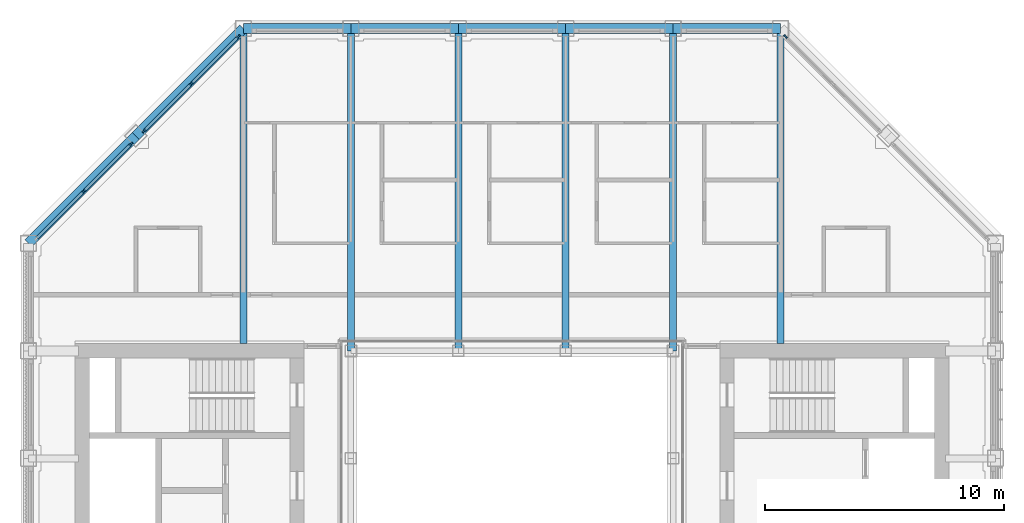
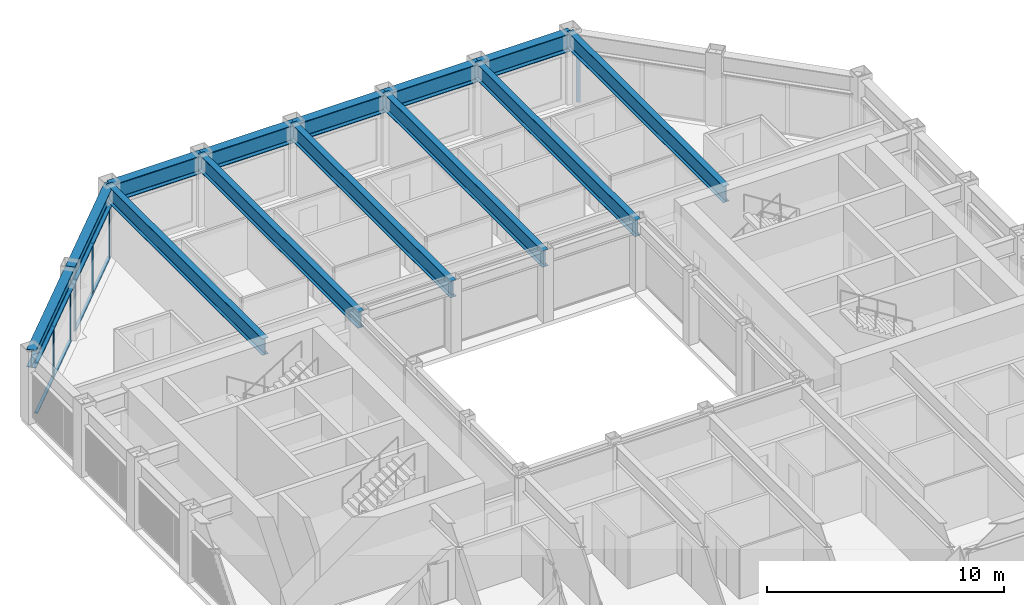
# One storey, part 6 of 18: 14 members, 13 beams, 3 elements without a shape of their own.
"""IFC4 building model written with IfcOpenShell, lengths in metres."""

import ifcopenshell
import ifcopenshell.guid

model = None  # the IFC model being written
_history = None  # IfcOwnerHistory: only IFC2X3 demands one
_inside = {}  # id of a spatial element -> (the spatial element, [elements in it])
_under = {}  # id of a project, library or spatial element -> (it, [spatial elements below it])
_declared = {}  # id of a project -> (the project, [libraries it declares])
_typed = {}  # id of a type object -> (the type object, [elements of that type])
_made_of = {}  # id of a material, layer set ... -> (it, [elements and type objects made of it])


def new_model(schema):
    """Start an empty IFC model of exactly this schema.

    Asked for "IFC4X3", IfcOpenShell would pick the latest addendum, in which some entities
    have other attributes; the version numbers below select the first issue.
    IFC2X3 requires an IfcOwnerHistory on every rooted entity: one is made here for all.
    """
    global model, _history
    if schema == "IFC4X3":
        model = ifcopenshell.file(schema_version=(4, 3, 0, 0))
    else:
        model = ifcopenshell.file(schema=schema)
    _inside.clear()
    _under.clear()
    _declared.clear()
    _typed.clear()
    _made_of.clear()
    _history = None
    if model.schema == "IFC2X3":
        org = make("IfcOrganization", Name="unknown")
        user = make(
            "IfcPersonAndOrganization",
            ThePerson=make("IfcPerson", FamilyName="unknown"),
            TheOrganization=org,
        )
        app = make(
            "IfcApplication",
            ApplicationDeveloper=org,
            Version="unknown",
            ApplicationFullName="unknown",
            ApplicationIdentifier="unknown",
        )
        _history = make(
            "IfcOwnerHistory",
            OwningUser=user,
            OwningApplication=app,
            ChangeAction="ADDED",
            CreationDate=0,
        )
    return model


def make(cls, **values):
    """One entity of the class cls with the attributes given. An attribute that is None is left unset."""
    return model.create_entity(
        cls, **{name: value for name, value in values.items() if value is not None}
    )


def rooted(cls, **values):
    """An entity with a GlobalId (a new one), such as an element, a storey or a relation."""
    return make(cls, GlobalId=ifcopenshell.guid.new(), OwnerHistory=_history, **values)


def si_unit(unit_type, name, prefix=None):
    """IfcSIUnit, for example si_unit("LENGTHUNIT", "METRE", prefix="MILLI")."""
    return make("IfcSIUnit", UnitType=unit_type, Prefix=prefix, Name=name)


def assignment(units):
    """IfcUnitAssignment: the units of a project."""
    return None if units is None else make("IfcUnitAssignment", Units=units)


def point(xyz):
    """IfcCartesianPoint."""
    return None if xyz is None else make("IfcCartesianPoint", Coordinates=xyz)


def direction(xyz):
    """IfcDirection."""
    return None if xyz is None else make("IfcDirection", DirectionRatios=xyz)


def frame(location, z_axis=None, x_axis=None):
    """IfcAxis2Placement3D, a coordinate frame: its origin and axes. An axis left out is left unset."""
    return make(
        "IfcAxis2Placement3D",
        Location=point(location),
        Axis=direction(z_axis),
        RefDirection=direction(x_axis),
    )


def frame_2d(location, x_axis=None):
    """IfcAxis2Placement2D, a coordinate frame in the plane: its origin and x axis."""
    return make(
        "IfcAxis2Placement2D", Location=point(location), RefDirection=direction(x_axis)
    )


def origin():
    """The frame at (0, 0, 0) with its axes left unset."""
    return frame((0.0, 0.0, 0.0))


def origin_2d():
    """The frame at (0, 0) in the plane with its x axis left unset."""
    return frame_2d((0.0, 0.0))


def place(relative_to, where):
    """IfcLocalPlacement: puts the frame where relative to a parent placement (None: the world)."""
    return make(
        "IfcLocalPlacement", PlacementRelTo=relative_to, RelativePlacement=where
    )


def context(
    kind, dimensions, precision=None, world=None, true_north=None, identifier=None
):
    """IfcGeometricRepresentationContext, for example the 3D "Model" context."""
    return make(
        "IfcGeometricRepresentationContext",
        ContextIdentifier=identifier,
        ContextType=kind,
        CoordinateSpaceDimension=dimensions,
        Precision=precision,
        WorldCoordinateSystem=world,
        TrueNorth=true_north,
    )


def subcontext(parent, identifier, kind, view, scale=None):
    """IfcGeometricRepresentationSubContext, for example "Body" below "Model"."""
    return make(
        "IfcGeometricRepresentationSubContext",
        ContextIdentifier=identifier,
        ContextType=kind,
        ParentContext=parent,
        TargetScale=scale,
        TargetView=view,
    )


def project(units=None, contexts=None):
    """IfcProject with its units and contexts."""
    return rooted(
        "IfcProject",
        Name="project",
        RepresentationContexts=contexts,
        UnitsInContext=assignment(units),
    )


def spatial(cls, under=None, at=None, **own):
    """A site, building, storey or space (cls), placed at a placement, below another one or the project."""
    s = rooted(cls, ObjectPlacement=at, **own)
    if under is not None:
        _under.setdefault(under.id(), (under, []))[1].append(s)
    return s


def profile(cls, at=None, kind="AREA", **sizes):
    """A parametric profile (cls). Its sizes go by their IFC names, for example OverallWidth=200.0."""
    return make(cls, ProfileType=kind, Position=at, **sizes)


def rectangle(**sizes):
    """IfcRectangleProfileDef."""
    return profile("IfcRectangleProfileDef", **sizes)


def i_section(**sizes):
    """IfcIShapeProfileDef."""
    return profile("IfcIShapeProfileDef", **sizes)


def extrude(swept, where, along, depth):
    """IfcExtrudedAreaSolid: the profile swept, set in the frame where, extruded along a direction by depth."""
    return make(
        "IfcExtrudedAreaSolid",
        SweptArea=swept,
        Position=where,
        ExtrudedDirection=direction(along),
        Depth=depth,
    )


def shape(context_of_items, identifier, shape_type, items):
    """IfcShapeRepresentation: the items that make up one representation, for example the "Body"."""
    return make(
        "IfcShapeRepresentation",
        ContextOfItems=context_of_items,
        RepresentationIdentifier=identifier,
        RepresentationType=shape_type,
        Items=items,
    )


def material(Name=None, Category=None):
    """IfcMaterial."""
    return make("IfcMaterial", Name=Name, Category=Category)


def material_profile(
    of_material, cross_section, Name=None, Category=None, Priority=None
):
    """IfcMaterialProfile: a cross section and its material."""
    return make(
        "IfcMaterialProfile",
        Name=Name,
        Material=of_material,
        Profile=cross_section,
        Priority=Priority,
        Category=Category,
    )


def profile_set(profiles, Name=None, composite=None):
    """IfcMaterialProfileSet."""
    return make(
        "IfcMaterialProfileSet",
        Name=Name,
        MaterialProfiles=profiles,
        CompositeProfile=composite,
    )


def made_of(thing, what):
    """Note that an element or type object is made of a material, layer set ...; save() writes the relation."""
    if what is not None:
        _made_of.setdefault(what.id(), (what, []))[1].append(thing)
    return thing


def type_object(cls, material=None, **own):
    """A type object (cls), such as IfcWallType, which elements share."""
    return made_of(rooted(cls, **own), material)


def element(
    cls,
    number,
    at=None,
    inside=None,
    cuts=None,
    type_object=None,
    material=None,
    context=None,
    identifier="Body",
    shape_type=None,
    held_by="IfcProductDefinitionShape",
    body=None,
    shapes=None,
    **own,
):
    """One element of the class cls, such as IfcWall. Its Tag is "e" and its number.

    at: its placement. inside: the storey or other place that contains it. cuts: it is an
    opening in that element (IfcRelVoidsElement). A single representation is given by context,
    identifier, shape_type and body (its items); several are given by shapes. held_by: the class
    of the entity that holds the representations. save() writes the other relations.
    """
    e = rooted(cls, Tag="e%d" % number, ObjectPlacement=at, **own)
    if body is not None:
        shapes = [shape(context, identifier, shape_type, body)]
    if shapes is not None:
        e.Representation = make(held_by, Representations=shapes)
    if inside is not None:
        _inside.setdefault(inside.id(), (inside, []))[1].append(e)
    if cuts is not None:
        rooted(
            "IfcRelVoidsElement", RelatingBuildingElement=cuts, RelatedOpeningElement=e
        )
    if type_object is not None:
        _typed.setdefault(type_object.id(), (type_object, []))[1].append(e)
    return made_of(e, material)


def aggregate(whole, parts):
    """IfcRelAggregates: a whole, such as a stair, and the parts it consists of."""
    return rooted("IfcRelAggregates", RelatingObject=whole, RelatedObjects=parts)


def save(model, path):
    """Write the relations noted so far, then the file.

    IfcRelAggregates (storeys below a building ...), IfcRelContainedInSpatialStructure (elements
    in a storey), IfcRelDefinesByType, IfcRelAssociatesMaterial and IfcRelDeclares: one each for
    every whole, place, type object, material and project.
    """
    for whole, parts in _under.values():
        aggregate(whole, parts)
    for where, things in _inside.values():
        rooted(
            "IfcRelContainedInSpatialStructure",
            RelatedElements=things,
            RelatingStructure=where,
        )
    for kind, things in _typed.values():
        rooted("IfcRelDefinesByType", RelatedObjects=things, RelatingType=kind)
    for what, things in _made_of.values():
        rooted("IfcRelAssociatesMaterial", RelatedObjects=things, RelatingMaterial=what)
    for by, libraries in _declared.values():
        rooted("IfcRelDeclares", RelatingContext=by, RelatedDefinitions=libraries)
    model.write(path)


model = new_model("IFC4")

# Units and contexts
model_context = context("Model", 3, precision=1e-05, world=origin(), true_north=direction((0.0, 1.0)))
body_context = subcontext(model_context, "Body", "Model", "MODEL_VIEW")
ifc_project = project(units=[si_unit("LENGTHUNIT", "METRE"), si_unit("AREAUNIT", "SQUARE_METRE"), si_unit("VOLUMEUNIT", "CUBIC_METRE"), si_unit("PLANEANGLEUNIT", "RADIAN"), si_unit("MASSUNIT", "GRAM", prefix="KILO")], contexts=[model_context])

# Site, building, storey
site_placement = place(None, origin())
site = spatial("IfcSite", under=ifc_project, at=site_placement, CompositionType="ELEMENT")
building_placement = place(site_placement, origin())
building = spatial("IfcBuilding", under=site, at=building_placement, Name="Msasa Ring Tower", CompositionType="ELEMENT")
storey_placement = place(building_placement, frame((0.0, 0.0, 249.550048828125)))
storey = spatial("IfcBuildingStorey", under=building, at=storey_placement, Name="L65", CompositionType="ELEMENT", Elevation=249.550048828125)

# Curtain wall, member
ifc_material_1 = material(Name="Aluminium curtain wall with clear glass", Category="aluminium")
curtain_wall_type = type_object("IfcCurtainWallType", Name="CW-C CHAMFER CORNER CURTAIN WALL", PredefinedType="NOTDEFINED", material=ifc_material_1)
curtain_wall_1_placement = place(storey_placement, origin())
curtain_wall_1 = element("IfcCurtainWall", 1, at=curtain_wall_1_placement, inside=storey, type_object=curtain_wall_type, Name="Chamfer corner curtain wall NE L65", PredefinedType="NOTDEFINED")
ifc_material_2 = material(Name="Aluminium mullion", Category="aluminium")
ifc_material_profile_1 = material_profile(ifc_material_2, rectangle(XDim=0.06494140625, YDim=0.179931640625, at=origin_2d()), Name="AL 65x180")
ifc_profile_set_1 = profile_set([ifc_material_profile_1], Name="Aluminium mullion")
member_type_1 = type_object("IfcMemberType", Name="CW-C MULLION 65x180", PredefinedType="MULLION", material=ifc_profile_set_1)
member_1_placement = place(storey_placement, frame((11.453369140625, 19.9052734375, 0.0), z_axis=(0.0, 0.0, 1.0), x_axis=(-0.707106781187, -0.707106781187, 0.0)))
member_1 = element("IfcMember", 2, at=member_1_placement, type_object=member_type_1, Name="CW-C mullion 3", PredefinedType="MULLION", context=body_context, shape_type="SweptSolid", body=[
    extrude(rectangle(XDim=0.06494140625, YDim=0.179931640625, at=origin_2d()), origin(), (0.0, 0.0, 1.0), 2.62890625),
])
aggregate(curtain_wall_1, [member_1])

# Curtain wall, members
curtain_wall_2_placement = place(storey_placement, origin())
curtain_wall_2 = element("IfcCurtainWall", 3, at=curtain_wall_2_placement, inside=storey, type_object=curtain_wall_type, Name="Chamfer corner curtain wall NW L65", PredefinedType="NOTDEFINED")
member_2_placement = place(storey_placement, frame((-15.953369140625, 15.4052734375, 0.0), z_axis=(0.0, 0.0, 1.0), x_axis=(0.707106781187, -0.707106781187, 0.0)))
member_2 = element("IfcMember", 4, at=member_2_placement, type_object=member_type_1, Name="CW-C mullion 1", PredefinedType="MULLION", context=body_context, shape_type="SweptSolid", body=[
    extrude(rectangle(XDim=0.06494140625, YDim=0.179931640625, at=origin_2d()), origin(), (0.0, 0.0, 1.0), 2.62890625),
])
member_3_placement = place(storey_placement, frame((-17.92919921875, 13.42919921875, 0.0), z_axis=(0.0, 0.0, 1.0), x_axis=(0.707106781187, -0.707106781187, 0.0)))
member_3 = element("IfcMember", 5, at=member_3_placement, type_object=member_type_1, Name="CW-C mullion 2", PredefinedType="MULLION", context=body_context, shape_type="SweptSolid", body=[
    extrude(rectangle(XDim=0.06494140625, YDim=0.179931640625, at=origin_2d()), origin(), (0.0, 0.0, 1.0), 2.62890625),
])

curtain_wall_3_placement = place(storey_placement, origin())
curtain_wall_3 = element("IfcCurtainWall", 6, at=curtain_wall_3_placement, inside=storey, type_object=curtain_wall_type, Name="Chamfer corner curtain wall NW L65", PredefinedType="NOTDEFINED")
member_4_placement = place(storey_placement, frame((-11.453369140625, 19.9052734375, 0.0), z_axis=(0.0, 0.0, 1.0), x_axis=(0.707106781187, -0.707106781187, 0.0)))
member_4 = element("IfcMember", 7, at=member_4_placement, type_object=member_type_1, Name="CW-C mullion 1", PredefinedType="MULLION", context=body_context, shape_type="SweptSolid", body=[
    extrude(rectangle(XDim=0.06494140625, YDim=0.179931640625, at=origin_2d()), origin(), (0.0, 0.0, 1.0), 2.62890625),
])
member_5_placement = place(storey_placement, frame((-13.42919921875, 17.92919921875, 0.0), z_axis=(0.0, 0.0, 1.0), x_axis=(0.707106781187, -0.707106781187, 0.0)))
member_5 = element("IfcMember", 8, at=member_5_placement, type_object=member_type_1, Name="CW-C mullion 2", PredefinedType="MULLION", context=body_context, shape_type="SweptSolid", body=[
    extrude(rectangle(XDim=0.06494140625, YDim=0.179931640625, at=origin_2d()), origin(), (0.0, 0.0, 1.0), 2.62890625),
])
member_6_placement = place(storey_placement, frame((-15.4052734375, 15.953369140625, 0.0), z_axis=(0.0, 0.0, 1.0), x_axis=(0.707106781187, -0.707106781187, 0.0)))
member_6 = element("IfcMember", 9, at=member_6_placement, type_object=member_type_1, Name="CW-C mullion 3", PredefinedType="MULLION", context=body_context, shape_type="SweptSolid", body=[
    extrude(rectangle(XDim=0.06494140625, YDim=0.179931640625, at=origin_2d()), origin(), (0.0, 0.0, 1.0), 2.62890625),
])

# Member
ifc_material_3 = material(Name="Aluminium transom", Category="aluminium")
ifc_material_profile_2 = material_profile(ifc_material_3, rectangle(XDim=0.139892578125, YDim=0.06494140625, at=origin_2d()), Name="AL 65x140")
ifc_profile_set_2 = profile_set([ifc_material_profile_2], Name="Aluminium transom")
member_type_2 = type_object("IfcMemberType", Name="CW-C TRANSOM 65x140", PredefinedType="USERDEFINED", material=ifc_profile_set_2)
member_7_placement = place(storey_placement, frame((-15.976318359375, 15.38232421875, 0.032470703125), z_axis=(-0.707106781187, -0.707106781187, 0.0), x_axis=(0.707106781187, -0.707106781187, 0.0)))
member_7 = element("IfcMember", 10, at=member_7_placement, type_object=member_type_2, Name="CW-C transom 1.1", ObjectType="TRANSOM", PredefinedType="USERDEFINED", context=body_context, shape_type="SweptSolid", body=[
    extrude(rectangle(XDim=0.139892578125, YDim=0.06494140625, at=origin_2d()), origin(), (0.0, 0.0, 1.0), 2.729248046875),
])

member_8_placement = place(storey_placement, frame((-15.976318359375, 15.38232421875, 2.596435546875), z_axis=(-0.707106781187, -0.707106781187, 0.0), x_axis=(0.707106781187, -0.707106781187, 0.0)))
member_8 = element("IfcMember", 11, at=member_8_placement, type_object=member_type_2, Name="CW-C transom 1.2", ObjectType="TRANSOM", PredefinedType="USERDEFINED", context=body_context, shape_type="SweptSolid", body=[
    extrude(rectangle(XDim=0.139892578125, YDim=0.06494140625, at=origin_2d()), origin(), (0.0, 0.0, 1.0), 2.729248046875),
])

member_9_placement = place(storey_placement, frame((-17.952392578125, 13.40625, 0.032470703125), z_axis=(-0.707106781187, -0.707106781187, 0.0), x_axis=(0.707106781187, -0.707106781187, 0.0)))
member_9 = element("IfcMember", 12, at=member_9_placement, type_object=member_type_2, Name="CW-C transom 2.1", ObjectType="TRANSOM", PredefinedType="USERDEFINED", context=body_context, shape_type="SweptSolid", body=[
    extrude(rectangle(XDim=0.139892578125, YDim=0.06494140625, at=origin_2d()), origin(), (0.0, 0.0, 1.0), 2.729248046875),
])

member_10_placement = place(storey_placement, frame((-17.952392578125, 13.40625, 2.596435546875), z_axis=(-0.707106781187, -0.707106781187, 0.0), x_axis=(0.707106781187, -0.707106781187, 0.0)))
member_10 = element("IfcMember", 13, at=member_10_placement, type_object=member_type_2, Name="CW-C transom 2.2", ObjectType="TRANSOM", PredefinedType="USERDEFINED", context=body_context, shape_type="SweptSolid", body=[
    extrude(rectangle(XDim=0.139892578125, YDim=0.06494140625, at=origin_2d()), origin(), (0.0, 0.0, 1.0), 2.729248046875),
])

aggregate(curtain_wall_2, [member_2, member_3, member_7, member_8, member_9, member_10])

member_11_placement = place(storey_placement, frame((-11.476318359375, 19.88232421875, 0.032470703125), z_axis=(-0.707106781187, -0.707106781187, 0.0), x_axis=(0.707106781187, -0.707106781187, 0.0)))
member_11 = element("IfcMember", 14, at=member_11_placement, type_object=member_type_2, Name="CW-C transom 1.1", ObjectType="TRANSOM", PredefinedType="USERDEFINED", context=body_context, shape_type="SweptSolid", body=[
    extrude(rectangle(XDim=0.139892578125, YDim=0.06494140625, at=origin_2d()), origin(), (0.0, 0.0, 1.0), 2.729248046875),
])

member_12_placement = place(storey_placement, frame((-11.476318359375, 19.88232421875, 2.596435546875), z_axis=(-0.707106781187, -0.707106781187, 0.0), x_axis=(0.707106781187, -0.707106781187, 0.0)))
member_12 = element("IfcMember", 15, at=member_12_placement, type_object=member_type_2, Name="CW-C transom 1.2", ObjectType="TRANSOM", PredefinedType="USERDEFINED", context=body_context, shape_type="SweptSolid", body=[
    extrude(rectangle(XDim=0.139892578125, YDim=0.06494140625, at=origin_2d()), origin(), (0.0, 0.0, 1.0), 2.729248046875),
])

member_13_placement = place(storey_placement, frame((-13.452392578125, 17.90625, 0.032470703125), z_axis=(-0.707106781187, -0.707106781187, 0.0), x_axis=(0.707106781187, -0.707106781187, 0.0)))
member_13 = element("IfcMember", 16, at=member_13_placement, type_object=member_type_2, Name="CW-C transom 2.1", ObjectType="TRANSOM", PredefinedType="USERDEFINED", context=body_context, shape_type="SweptSolid", body=[
    extrude(rectangle(XDim=0.139892578125, YDim=0.06494140625, at=origin_2d()), origin(), (0.0, 0.0, 1.0), 2.729248046875),
])

member_14_placement = place(storey_placement, frame((-13.452392578125, 17.90625, 2.596435546875), z_axis=(-0.707106781187, -0.707106781187, 0.0), x_axis=(0.707106781187, -0.707106781187, 0.0)))
member_14 = element("IfcMember", 17, at=member_14_placement, type_object=member_type_2, Name="CW-C transom 2.2", ObjectType="TRANSOM", PredefinedType="USERDEFINED", context=body_context, shape_type="SweptSolid", body=[
    extrude(rectangle(XDim=0.139892578125, YDim=0.06494140625, at=origin_2d()), origin(), (0.0, 0.0, 1.0), 2.729248046875),
])

aggregate(curtain_wall_3, [member_4, member_5, member_6, member_11, member_12, member_13, member_14])

# Beams
ifc_material_4 = material(Name="Steel S355", Category="steel")
ifc_material_profile_3 = material_profile(ifc_material_4, i_section(OverallWidth=0.293701171875, OverallDepth=0.850830078125, WebThickness=0.01611328125, FlangeThickness=0.02685546875, FilletRadius=0.017822265625, at=origin_2d()), Name="UB 838x292x226")
ifc_profile_set_3 = profile_set([ifc_material_profile_3], Name="Steel S355")
beam_type_1 = type_object("IfcBeamType", Name="FB5 UB 838x292x226", PredefinedType="BEAM", material=ifc_profile_set_3)
beam_1_placement = place(storey_placement, frame((-11.25, 20.25, 3.12451171875), z_axis=(0.0, -1.0, 0.0), x_axis=(1.0, 0.0, 0.0)))
element("IfcBeam", 18, at=beam_1_placement, inside=storey, type_object=beam_type_1, Name="Floor beam N-11.25 under L66", PredefinedType="BEAM", context=body_context, shape_type="SweptSolid", body=[
    extrude(i_section(OverallWidth=0.293701171875, OverallDepth=0.850830078125, WebThickness=0.01611328125, FlangeThickness=0.02685546875, FilletRadius=0.017822265625, at=origin_2d()), origin(), (0.0, 0.0, 1.0), 13.199951171875),
])
for number, where, z_axis, x_axis, name in (
    (19, (-6.75, 20.25, 3.12451171875), (0.0, -1.0, 0.0), (1.0, 0.0, 0.0), "Floor beam N-6.75 under L66"),
    (20, (-2.25, 20.25, 3.12451171875), (0.0, -1.0, 0.0), (1.0, 0.0, 0.0), "Floor beam N-2.25 under L66"),
    (21, (2.25, 20.25, 3.12451171875), (0.0, -1.0, 0.0), (1.0, 0.0, 0.0), "Floor beam N+2.25 under L66"),
    (22, (6.75, 20.25, 3.12451171875), (0.0, -1.0, 0.0), (1.0, 0.0, 0.0), "Floor beam N+6.75 under L66"),
):
    element("IfcBeam", number, at=place(storey_placement, frame(where, z_axis=z_axis, x_axis=x_axis)), inside=storey, type_object=beam_type_1, Name=name, PredefinedType="BEAM", context=body_context, shape_type="SweptSolid", body=[
        extrude(i_section(OverallWidth=0.293701171875, OverallDepth=0.850830078125, WebThickness=0.01611328125, FlangeThickness=0.02685546875, FilletRadius=0.017822265625, at=origin_2d()), origin(), (0.0, 0.0, 1.0), 13.5),
    ])
beam_2_placement = place(storey_placement, frame((11.25, 20.25, 3.12451171875), z_axis=(0.0, -1.0, 0.0), x_axis=(1.0, 0.0, 0.0)))
element("IfcBeam", 23, at=beam_2_placement, inside=storey, type_object=beam_type_1, Name="Floor beam N+11.25 under L66", PredefinedType="BEAM", context=body_context, shape_type="SweptSolid", body=[
    extrude(i_section(OverallWidth=0.293701171875, OverallDepth=0.850830078125, WebThickness=0.01611328125, FlangeThickness=0.02685546875, FilletRadius=0.017822265625, at=origin_2d()), origin(), (0.0, 0.0, 1.0), 13.199951171875),
])
ifc_material_5 = material(Name="Steel S355", Category="steel")
ifc_material_profile_4 = material_profile(ifc_material_5, i_section(OverallWidth=0.42041015625, OverallDepth=0.9208984375, WebThickness=0.021484375, FlangeThickness=0.03662109375, FilletRadius=0.024169921875, at=origin_2d()), Name="UB 914x419x388")
ifc_profile_set_4 = profile_set([ifc_material_profile_4], Name="Steel S355")
beam_type_2 = type_object("IfcBeamType", Name="SB1 UB 914x419x388", PredefinedType="SPANDREL", material=ifc_profile_set_4)
for number, where, z_axis, x_axis, name in (
    (24, (11.25, 20.25, 3.08935546875), (-1.0, 0.0, 0.0), (0.0, -1.0, 0.0), "Spandrel N+11.25 to N+6.75 under L66"),
    (25, (6.75, 20.25, 3.08935546875), (-1.0, 0.0, 0.0), (0.0, -1.0, 0.0), "Spandrel N+6.75 to N+2.25 under L66"),
    (26, (2.25, 20.25, 3.08935546875), (-1.0, 0.0, 0.0), (0.0, -1.0, 0.0), "Spandrel N+2.25 to N-2.25 under L66"),
    (27, (-2.25, 20.25, 3.08935546875), (-1.0, 0.0, 0.0), (0.0, -1.0, 0.0), "Spandrel N-2.25 to N-6.75 under L66"),
    (28, (-6.75, 20.25, 3.08935546875), (-1.0, 0.0, 0.0), (0.0, -1.0, 0.0), "Spandrel N-6.75 to N-11.25 under L66"),
):
    element("IfcBeam", number, at=place(storey_placement, frame(where, z_axis=z_axis, x_axis=x_axis)), inside=storey, type_object=beam_type_2, Name=name, PredefinedType="SPANDREL", context=body_context, shape_type="SweptSolid", body=[
        extrude(i_section(OverallWidth=0.42041015625, OverallDepth=0.9208984375, WebThickness=0.021484375, FlangeThickness=0.03662109375, FilletRadius=0.024169921875, at=origin_2d()), origin(), (0.0, 0.0, 1.0), 4.5),
    ])
for number, where, z_axis, x_axis, name in (
    (29, (-11.25, 20.25, 3.08935546875), (-0.707106781187, -0.707106781187, 0.0), (0.707106781187, -0.707106781187, 0.0), "Spandrel N-11.25 to NW under L66"),
    (30, (-15.75, 15.75, 3.08935546875), (-0.707106781187, -0.707106781187, 0.0), (0.707106781187, -0.707106781187, 0.0), "Spandrel NW to W+11.25 under L66"),
):
    element("IfcBeam", number, at=place(storey_placement, frame(where, z_axis=z_axis, x_axis=x_axis)), inside=storey, type_object=beam_type_2, Name=name, PredefinedType="SPANDREL", context=body_context, shape_type="SweptSolid", body=[
        extrude(i_section(OverallWidth=0.42041015625, OverallDepth=0.9208984375, WebThickness=0.021484375, FlangeThickness=0.03662109375, FilletRadius=0.024169921875, at=origin_2d()), origin(), (0.0, 0.0, 1.0), 6.364013671875),
    ])

save(model, "model.ifc")
